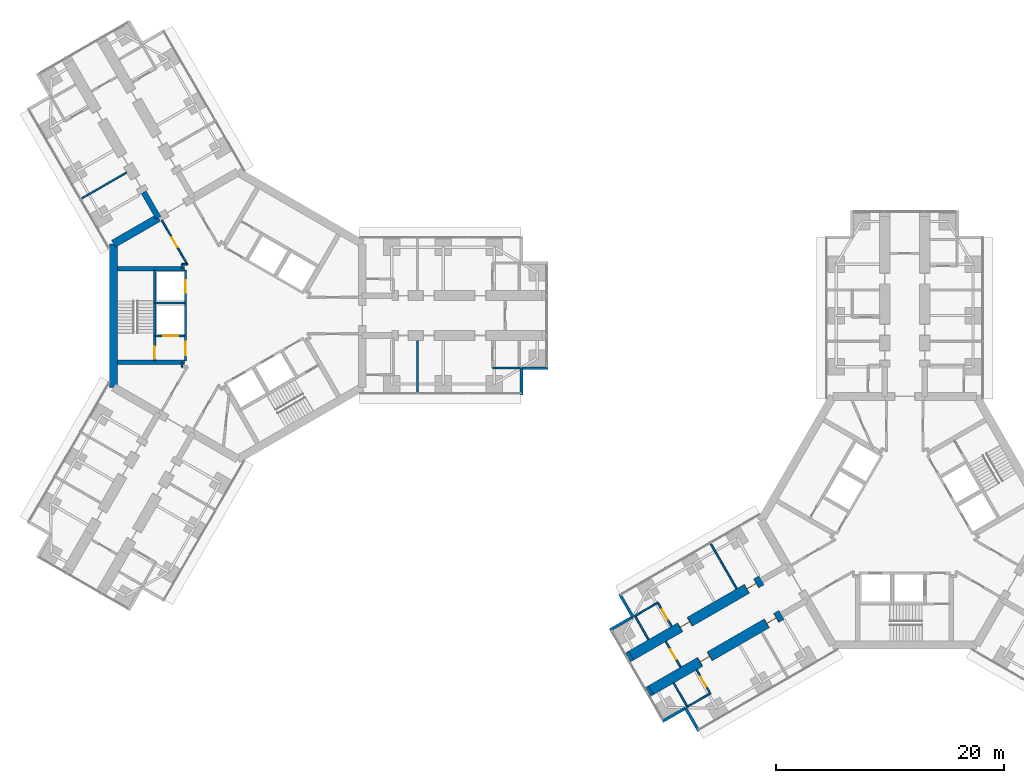
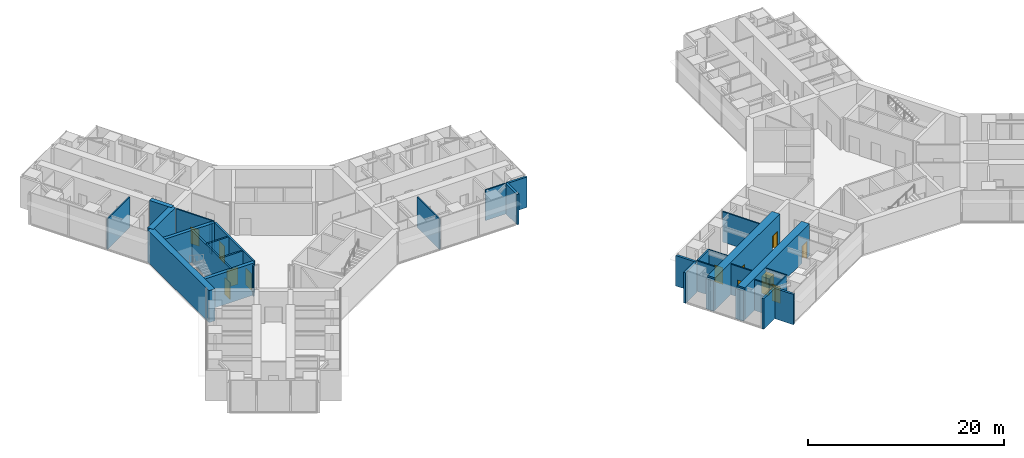
# One storey, part 17 of 24: 34 walls, 12 doors, 12 openings.
"""IFC4 building model written with IfcOpenShell, lengths in metres."""

from ifc_helpers import new_model, si_unit, direction, frame, frame_2d, origin, place, context, subcontext, project, spatial, rectangle, extrude, material, layer, layer_set, type_object, element, fill, save


model = new_model("IFC4")

# Units and contexts
model_context = context("Model", 3, precision=1e-05, world=origin(), true_north=direction((0.0, 1.0)))
body_context = subcontext(model_context, "Body", "Model", "MODEL_VIEW")
ifc_project = project(units=[si_unit("LENGTHUNIT", "METRE"), si_unit("AREAUNIT", "SQUARE_METRE"), si_unit("VOLUMEUNIT", "CUBIC_METRE"), si_unit("PLANEANGLEUNIT", "RADIAN"), si_unit("MASSUNIT", "GRAM", prefix="KILO")], contexts=[model_context])

# Site, building, storey
site_placement = place(None, origin())
site = spatial("IfcSite", under=ifc_project, at=site_placement, CompositionType="ELEMENT")
building_placement = place(site_placement, origin())
building = spatial("IfcBuilding", under=site, at=building_placement, Name="Upepo Twin Towers", CompositionType="ELEMENT")
storey_placement = place(building_placement, frame((0.0, 0.0, 52.5)))
storey = spatial("IfcBuildingStorey", under=building, at=storey_placement, Name="L12", CompositionType="ELEMENT", Elevation=52.5)

# Walls
ifc_material_1 = material(Name="Dense concrete blockwork", Category="masonry")
ifc_layer_1 = layer(ifc_material_1, 0.89990234375)
ifc_layer_set_1 = layer_set([ifc_layer_1], Name="Buttress closer 900, blockwork with fire-stopping to the curtain wall")
wall_type_1 = type_object("IfcWallType", Name="Buttress closer 900, blockwork with fire-stopping to the curtain wall", PredefinedType="PARTITIONING", material=ifc_layer_set_1)
for number, where, z_axis, x_axis, name in (
    (1, (36.252197265625, -32.865478515625, 0.0), (0.0, 0.0, 1.0), (-0.866054481515, -0.499949632511, 0.0), "T2 L12 wing B buttress closer L"),
    (2, (34.502197265625, -29.83447265625, 0.0), (0.0, 0.0, 1.0), (-0.866054481515, -0.499949632511, 0.0), "T2 L12 wing B buttress closer R"),
):
    element("IfcWall", number, at=place(storey_placement, frame(where, z_axis=z_axis, x_axis=x_axis)), inside=storey, type_object=wall_type_1, Name=name, PredefinedType="PARTITIONING", context=body_context, shape_type="SweptSolid", body=[
        extrude(rectangle(XDim=0.31005859375, YDim=0.89990234375, at=frame_2d((0.155029296875, 0.0))), origin(), (0.0, 0.0, 1.0), 3.800048828125),
    ])
ifc_material_2 = material(Name="Concrete C60/75", Category="concrete")
ifc_layer_2 = layer(ifc_material_2, 0.5)
ifc_layer_set_2 = layer_set([ifc_layer_2], Name="Concrete C60/75")
wall_type_2 = type_object("IfcWallType", Name="Buttress wall 500 RC", PredefinedType="SHEAR", material=ifc_layer_set_2)
wall_1_placement = place(storey_placement, frame((-6.9697265625, 8.57177734375, 0.0), z_axis=(0.0, 0.0, 1.0), x_axis=(-0.499988811324, 0.866031863473, 0.0)))
element("IfcWall", 3, at=wall_1_placement, inside=storey, type_object=wall_type_2, Name="T1 wing B buttress wall L", PredefinedType="SHEAR", context=body_context, shape_type="SweptSolid", body=[
    extrude(rectangle(XDim=2.591796875, YDim=0.5, at=frame_2d((1.2958984375, 0.0))), origin(), (0.0, 0.0, 1.0), 4.0),
])

# Wall, openings, doors
ifc_material_3 = material(Name="Concrete C60/75", Category="concrete")
ifc_layer_3 = layer(ifc_material_3, 0.89990234375)
ifc_layer_set_3 = layer_set([ifc_layer_3], Name="Concrete C60/75")
wall_type_3 = type_object("IfcWallType", Name="Buttress wall 900 RC", PredefinedType="SHEAR", material=ifc_layer_set_3)
wall_2_placement = place(storey_placement, frame((47.68359375, -26.265625, 0.0), z_axis=(0.0, 0.0, 1.0), x_axis=(-0.866027579429, -0.499996231654, 0.0)))
wall_2 = element("IfcWall", 4, at=wall_2_placement, inside=storey, type_object=wall_type_3, Name="T2 wing B buttress wall L part 2", PredefinedType="SHEAR", context=body_context, shape_type="SweptSolid", body=[
    extrude(rectangle(XDim=13.19970703125, YDim=0.89990234375, at=frame_2d((6.599853515625, 0.0))), origin(), (0.0, 0.0, 1.0), 4.0),
])
opening_1_placement = place(wall_2_placement, frame((0.5, 0.0, 0.0)))
opening_1 = element("IfcOpeningElement", 5, at=opening_1_placement, cuts=wall_2, Name="Opening D1", PredefinedType="OPENING", context=body_context, shape_type="SweptSolid", body=[
    extrude(rectangle(XDim=1.0, YDim=2.10009765625, at=frame_2d((0.5, 1.050048828125))), frame((0.0, 0.4599609375, 0.0), z_axis=(0.0, -1.0, 0.0), x_axis=(1.0, 0.0, 0.0)), (0.0, 0.0, 1.0), 0.919921875),
])
opening_2_placement = place(wall_2_placement, frame((7.25, 0.0, 0.0)))
opening_2 = element("IfcOpeningElement", 6, at=opening_2_placement, cuts=wall_2, Name="Opening D1", PredefinedType="OPENING", context=body_context, shape_type="SweptSolid", body=[
    extrude(rectangle(XDim=1.0, YDim=2.10009765625, at=frame_2d((0.5, 1.050048828125))), frame((0.0, 0.4599609375, 0.0), z_axis=(0.0, -1.0, 0.0), x_axis=(1.0, 0.0, 0.0)), (0.0, 0.0, 1.0), 0.919921875),
])
ifc_material_4 = material(Name="Timber doorset", Category="wood")
door_type_1 = type_object("IfcDoorType", Name="Room door 1000 FD30", OperationType="SINGLE_SWING_LEFT", PredefinedType="DOOR", material=ifc_material_4)
door_1_placement = place(opening_1_placement, origin())
door_1 = element("IfcDoor", 7, at=door_1_placement, inside=storey, type_object=door_type_1, Name="T2 L12 tutorial room door", OperationType="SINGLE_SWING_LEFT", OverallHeight=2.10009765625, OverallWidth=1.0, PredefinedType="DOOR", context=body_context, shape_type="SweptSolid", body=[
    extrude(rectangle(XDim=0.92, YDim=2.06009765625, at=frame_2d((0.5, 1.030029296875))), frame((0.0, 0.02490234375, 0.0), z_axis=(0.0, -1.0, 0.0), x_axis=(1.0, 0.0, 0.0)), (0.0, 0.0, 1.0), 0.050048828125),
    extrude(rectangle(XDim=0.04, YDim=2.10009765625, at=frame_2d((0.02001953125, 1.050048828125))), frame((0.0, 0.44970703125, 0.0), z_axis=(0.0, -1.0, 0.0), x_axis=(1.0, 0.0, 0.0)), (0.0, 0.0, 1.0), 0.8994140625),
    extrude(rectangle(XDim=0.04, YDim=2.10009765625, at=frame_2d((0.97998046875, 1.050048828125))), frame((0.0, 0.44970703125, 0.0), z_axis=(0.0, -1.0, 0.0), x_axis=(1.0, 0.0, 0.0)), (0.0, 0.0, 1.0), 0.8994140625),
    extrude(rectangle(XDim=0.92, YDim=0.04, at=frame_2d((0.5, 2.080078125))), frame((0.0, 0.44970703125, 0.0), z_axis=(0.0, -1.0, 0.0), x_axis=(1.0, 0.0, 0.0)), (0.0, 0.0, 1.0), 0.8994140625),
])
fill(opening_1, door_1)
door_2_placement = place(opening_2_placement, origin())
door_2 = element("IfcDoor", 8, at=door_2_placement, inside=storey, type_object=door_type_1, Name="T2 L12 classroom door", OperationType="SINGLE_SWING_RIGHT", OverallHeight=2.10009765625, OverallWidth=1.0, PredefinedType="DOOR", context=body_context, shape_type="SweptSolid", body=[
    extrude(rectangle(XDim=0.92, YDim=2.06009765625, at=frame_2d((0.5, 1.030029296875))), frame((0.0, 0.02490234375, 0.0), z_axis=(0.0, -1.0, 0.0), x_axis=(1.0, 0.0, 0.0)), (0.0, 0.0, 1.0), 0.050048828125),
    extrude(rectangle(XDim=0.04, YDim=2.10009765625, at=frame_2d((0.02001953125, 1.050048828125))), frame((0.0, 0.44970703125, 0.0), z_axis=(0.0, -1.0, 0.0), x_axis=(1.0, 0.0, 0.0)), (0.0, 0.0, 1.0), 0.8994140625),
    extrude(rectangle(XDim=0.04, YDim=2.10009765625, at=frame_2d((0.97998046875, 1.050048828125))), frame((0.0, 0.44970703125, 0.0), z_axis=(0.0, -1.0, 0.0), x_axis=(1.0, 0.0, 0.0)), (0.0, 0.0, 1.0), 0.8994140625),
    extrude(rectangle(XDim=0.92, YDim=0.04, at=frame_2d((0.5, 2.080078125))), frame((0.0, 0.44970703125, 0.0), z_axis=(0.0, -1.0, 0.0), x_axis=(1.0, 0.0, 0.0)), (0.0, 0.0, 1.0), 0.8994140625),
])
fill(opening_2, door_2)

wall_3_placement = place(storey_placement, frame((45.93359375, -23.234375, 0.0), z_axis=(0.0, 0.0, 1.0), x_axis=(-0.866019570528, -0.500010103361, 0.0)))
wall_3 = element("IfcWall", 9, at=wall_3_placement, inside=storey, type_object=wall_type_3, Name="T2 wing B buttress wall R part 2", PredefinedType="SHEAR", context=body_context, shape_type="SweptSolid", body=[
    extrude(rectangle(XDim=13.199951171875, YDim=0.89990234375, at=frame_2d((6.60009765625, 0.0))), origin(), (0.0, 0.0, 1.0), 4.0),
])
opening_3_placement = place(wall_3_placement, frame((0.5, 0.0, 0.0)))
opening_3 = element("IfcOpeningElement", 10, at=opening_3_placement, cuts=wall_3, Name="Opening D1", PredefinedType="OPENING", context=body_context, shape_type="SweptSolid", body=[
    extrude(rectangle(XDim=1.0, YDim=2.10009765625, at=frame_2d((0.5, 1.050048828125))), frame((0.0, 0.4599609375, 0.0), z_axis=(0.0, -1.0, 0.0), x_axis=(1.0, 0.0, 0.0)), (0.0, 0.0, 1.0), 0.919921875),
])
opening_4_placement = place(wall_3_placement, frame((7.25, 0.0, 0.0)))
opening_4 = element("IfcOpeningElement", 11, at=opening_4_placement, cuts=wall_3, Name="Opening D1", PredefinedType="OPENING", context=body_context, shape_type="SweptSolid", body=[
    extrude(rectangle(XDim=1.0, YDim=2.10009765625, at=frame_2d((0.5, 1.050048828125))), frame((0.0, 0.4599609375, 0.0), z_axis=(0.0, -1.0, 0.0), x_axis=(1.0, 0.0, 0.0)), (0.0, 0.0, 1.0), 0.919921875),
])
door_3_placement = place(opening_3_placement, origin())
door_3 = element("IfcDoor", 12, at=door_3_placement, inside=storey, type_object=door_type_1, Name="T2 L12 staff office door", OperationType="SINGLE_SWING_LEFT", OverallHeight=2.10009765625, OverallWidth=1.0, PredefinedType="DOOR", context=body_context, shape_type="SweptSolid", body=[
    extrude(rectangle(XDim=0.92, YDim=2.06009765625, at=frame_2d((0.5, 1.030029296875))), frame((0.0, 0.02490234375, 0.0), z_axis=(0.0, -1.0, 0.0), x_axis=(1.0, 0.0, 0.0)), (0.0, 0.0, 1.0), 0.050048828125),
    extrude(rectangle(XDim=0.04, YDim=2.10009765625, at=frame_2d((0.02001953125, 1.050048828125))), frame((0.0, 0.44970703125, 0.0), z_axis=(0.0, -1.0, 0.0), x_axis=(1.0, 0.0, 0.0)), (0.0, 0.0, 1.0), 0.8994140625),
    extrude(rectangle(XDim=0.04, YDim=2.10009765625, at=frame_2d((0.97998046875, 1.050048828125))), frame((0.0, 0.44970703125, 0.0), z_axis=(0.0, -1.0, 0.0), x_axis=(1.0, 0.0, 0.0)), (0.0, 0.0, 1.0), 0.8994140625),
    extrude(rectangle(XDim=0.92, YDim=0.04, at=frame_2d((0.5, 2.080078125))), frame((0.0, 0.44970703125, 0.0), z_axis=(0.0, -1.0, 0.0), x_axis=(1.0, 0.0, 0.0)), (0.0, 0.0, 1.0), 0.8994140625),
])
fill(opening_3, door_3)
door_4_placement = place(opening_4_placement, origin())
door_4 = element("IfcDoor", 13, at=door_4_placement, inside=storey, type_object=door_type_1, Name="T2 L12 classroom door", OperationType="SINGLE_SWING_RIGHT", OverallHeight=2.10009765625, OverallWidth=1.0, PredefinedType="DOOR", context=body_context, shape_type="SweptSolid", body=[
    extrude(rectangle(XDim=0.92, YDim=2.06009765625, at=frame_2d((0.5, 1.030029296875))), frame((0.0, 0.02490234375, 0.0), z_axis=(0.0, -1.0, 0.0), x_axis=(1.0, 0.0, 0.0)), (0.0, 0.0, 1.0), 0.050048828125),
    extrude(rectangle(XDim=0.04, YDim=2.10009765625, at=frame_2d((0.02001953125, 1.050048828125))), frame((0.0, 0.44970703125, 0.0), z_axis=(0.0, -1.0, 0.0), x_axis=(1.0, 0.0, 0.0)), (0.0, 0.0, 1.0), 0.8994140625),
    extrude(rectangle(XDim=0.04, YDim=2.10009765625, at=frame_2d((0.97998046875, 1.050048828125))), frame((0.0, 0.44970703125, 0.0), z_axis=(0.0, -1.0, 0.0), x_axis=(1.0, 0.0, 0.0)), (0.0, 0.0, 1.0), 0.8994140625),
    extrude(rectangle(XDim=0.92, YDim=0.04, at=frame_2d((0.5, 2.080078125))), frame((0.0, 0.44970703125, 0.0), z_axis=(0.0, -1.0, 0.0), x_axis=(1.0, 0.0, 0.0)), (0.0, 0.0, 1.0), 0.8994140625),
])
fill(opening_4, door_4)

# Walls
ifc_material_5 = material(Name="Concrete C60/75", Category="concrete")
ifc_layer_4 = layer(ifc_material_5, 0.699951171875)
ifc_layer_set_4 = layer_set([ifc_layer_4], Name="Concrete C60/75")
wall_type_4 = type_object("IfcWallType", Name="Core wall 700 RC", PredefinedType="SHEAR", material=ifc_layer_set_4)
wall_4_placement = place(storey_placement, frame((-6.9697265625, 8.57177734375, 0.0), z_axis=(0.0, 0.0, 1.0), x_axis=(-0.866034513004, -0.499984222037, 0.0)))
element("IfcWall", 14, at=wall_4_placement, inside=storey, type_object=wall_type_4, Name="T1 core wall 120 L", PredefinedType="SHEAR", context=body_context, shape_type="SweptSolid", body=[
    extrude(rectangle(XDim=4.548095703125, YDim=0.699951171875, at=frame_2d((2.27392578125, 0.0))), origin(), (0.0, 0.0, 1.0), 4.0),
])
wall_5_placement = place(storey_placement, frame((-10.908447265625, 6.2978515625, 0.0), z_axis=(0.0, 0.0, 1.0), x_axis=(0.0, -1.0, 0.0)))
element("IfcWall", 15, at=wall_5_placement, inside=storey, type_object=wall_type_4, Name="T1 core wall 180", PredefinedType="SHEAR", context=body_context, shape_type="SweptSolid", body=[
    extrude(rectangle(XDim=12.595703125, YDim=0.699951171875, at=frame_2d((6.2978515625, 0.0))), origin(), (0.0, 0.0, 1.0), 4.0),
])
ifc_material_6 = material(Name="Blockwork with anodised aluminium cladding", Category="masonry")
ifc_layer_5 = layer(ifc_material_6, 0.25)
ifc_layer_set_5 = layer_set([ifc_layer_5], Name="Notch cladding wall 250, pale metal")
wall_type_5 = type_object("IfcWallType", Name="Notch cladding wall 250, pale metal", PredefinedType="STANDARD", material=ifc_layer_set_5)
for number, where, z_axis, x_axis, name in (
    (16, (24.875, -6.949951171875, 0.0), (0.0, 0.0, 1.0), (0.0, 1.0, 0.0), "T1 L12 wing A notch wall R1"),
    (17, (24.875, -4.625, 0.0), (0.0, 0.0, 1.0), (1.0, 0.0, 0.0), "T1 L12 wing A notch wall R2"),
    (18, (40.4326171875, -36.456298828125, 0.0), (0.0, 0.0, 1.0), (-0.500046648681, 0.865998469481, 0.0), "T2 L12 wing B notch wall L1"),
    (19, (39.27001953125, -34.44287109375, 0.0), (0.0, 0.0, 1.0), (-0.865998469481, -0.500046648681, 0.0), "T2 L12 wing B notch wall L2"),
    (20, (33.482666015625, -24.418701171875, 0.0), (0.0, 0.0, 1.0), (0.499967891604, -0.866043940782, 0.0), "T2 L12 wing B notch wall R1"),
    (21, (34.64501953125, -26.43212890625, 0.0), (0.0, 0.0, 1.0), (-0.865998469481, -0.500046648681, 0.0), "T2 L12 wing B notch wall R2"),
):
    element("IfcWall", number, at=place(storey_placement, frame(where, z_axis=z_axis, x_axis=x_axis)), inside=storey, type_object=wall_type_5, Name=name, PredefinedType="STANDARD", context=body_context, shape_type="SweptSolid", body=[
        extrude(rectangle(XDim=2.324951171875, YDim=0.25, at=frame_2d((1.16259765625, 0.0))), origin(), (0.0, 0.0, 1.0), 3.800048828125),
    ])

# Wall, openings, doors
ifc_material_7 = material(Name="Concrete C40/50", Category="concrete")
ifc_layer_6 = layer(ifc_material_7, 0.199951171875)
ifc_layer_set_6 = layer_set([ifc_layer_6], Name="Concrete C40/50")
wall_type_6 = type_object("IfcWallType", Name="Shaft wall 200 RC", PredefinedType="SHEAR", material=ifc_layer_set_6)
wall_6_placement = place(storey_placement, frame((-4.60009765625, 4.0, 0.0), z_axis=(0.0, 0.0, 1.0), x_axis=(0.0, -1.0, 0.0)))
wall_6 = element("IfcWall", 22, at=wall_6_placement, inside=storey, type_object=wall_type_6, Name="T1 core W180 front wall", PredefinedType="SHEAR", context=body_context, shape_type="SweptSolid", body=[
    extrude(rectangle(XDim=8.0, YDim=0.199951171875, at=frame_2d((4.0, 0.0))), origin(), (0.0, 0.0, 1.0), 4.0),
])
opening_5_placement = place(wall_6_placement, frame((6.300048828125, 0.0, 0.0)))
opening_5 = element("IfcOpeningElement", 23, at=opening_5_placement, cuts=wall_6, Name="Opening D4", PredefinedType="OPENING", context=body_context, shape_type="SweptSolid", body=[
    extrude(rectangle(XDim=1.199951171875, YDim=2.10009765625, at=frame_2d((0.60009765625, 1.050048828125))), frame((0.0, 0.10986328125, 0.0), z_axis=(0.0, -1.0, 0.0), x_axis=(1.0, 0.0, 0.0)), (0.0, 0.0, 1.0), 0.219970703125),
])
opening_6_placement = place(wall_6_placement, frame((0.89990234375, 0.0, 0.0)))
opening_6 = element("IfcOpeningElement", 24, at=opening_6_placement, cuts=wall_6, Name="Opening LD1", PredefinedType="OPENING", context=body_context, shape_type="SweptSolid", body=[
    extrude(rectangle(XDim=1.10009765625, YDim=2.199951171875, at=frame_2d((0.550048828125, 1.10009765625))), frame((0.0, 0.10986328125, 0.0), z_axis=(0.0, -1.0, 0.0), x_axis=(1.0, 0.0, 0.0)), (0.0, 0.0, 1.0), 0.219970703125),
])
ifc_material_8 = material(Name="Steel doorset", Category="steel")
door_type_2 = type_object("IfcDoorType", Name="Lift landing door 1100", OperationType="DOUBLE_DOOR_SLIDING", PredefinedType="DOOR", material=ifc_material_8)
door_5_placement = place(opening_6_placement, origin())
door_5 = element("IfcDoor", 25, at=door_5_placement, inside=storey, type_object=door_type_2, Name="T1 L12 lift SV1 landing door", OperationType="DOUBLE_DOOR_SLIDING", OverallHeight=2.199951171875, OverallWidth=1.10009765625, PredefinedType="DOOR", context=body_context, shape_type="SweptSolid", body=[
    extrude(rectangle(XDim=1.10009765625, YDim=2.199951171875, at=frame_2d((0.550048828125, 1.10009765625))), frame((0.0, 0.02490234375, 0.0), z_axis=(0.0, -1.0, 0.0), x_axis=(1.0, 0.0, 0.0)), (0.0, 0.0, 1.0), 0.050048828125),
])
fill(opening_6, door_5)
ifc_material_9 = material(Name="Timber doorset", Category="wood")
door_type_3 = type_object("IfcDoorType", Name="Lobby door 1200 FD60", OperationType="SINGLE_SWING_LEFT", PredefinedType="DOOR", material=ifc_material_9)
door_6_placement = place(opening_5_placement, origin())
door_6 = element("IfcDoor", 26, at=door_6_placement, inside=storey, type_object=door_type_3, Name="T1 L12 W180 lobby door", OperationType="SINGLE_SWING_RIGHT", OverallHeight=2.10009765625, OverallWidth=1.199951171875, PredefinedType="DOOR", context=body_context, shape_type="SweptSolid", body=[
    extrude(rectangle(XDim=1.199951171875, YDim=2.10009765625, at=frame_2d((0.60009765625, 1.050048828125))), frame((0.0, 0.02490234375, 0.0), z_axis=(0.0, -1.0, 0.0), x_axis=(1.0, 0.0, 0.0)), (0.0, 0.0, 1.0), 0.050048828125),
])
fill(opening_5, door_6)

# Wall
wall_7_placement = place(storey_placement, frame((-4.699951171875, 1.10009765625, 0.0), z_axis=(0.0, 0.0, 1.0), x_axis=(-1.0, 0.0, 0.0)))
element("IfcWall", 27, at=wall_7_placement, inside=storey, type_object=wall_type_6, Name="T1 core W180 shaft divider", PredefinedType="SHEAR", context=body_context, shape_type="SweptSolid", body=[
    extrude(rectangle(XDim=2.60009765625, YDim=0.199951171875, at=frame_2d((1.300048828125, 0.0))), origin(), (0.0, 0.0, 1.0), 4.0),
])

# Wall, opening, door
wall_8_placement = place(storey_placement, frame((-4.699951171875, -1.800048828125, 0.0), z_axis=(0.0, 0.0, 1.0), x_axis=(-1.0, 0.0, 0.0)))
wall_8 = element("IfcWall", 28, at=wall_8_placement, inside=storey, type_object=wall_type_6, Name="T1 core W180 lobby wall", PredefinedType="SHEAR", context=body_context, shape_type="SweptSolid", body=[
    extrude(rectangle(XDim=2.60009765625, YDim=0.199951171875, at=frame_2d((1.300048828125, 0.0))), origin(), (0.0, 0.0, 1.0), 4.0),
])
opening_7_placement = place(wall_8_placement, frame((0.550048828125, 0.0, 0.0)))
opening_7 = element("IfcOpeningElement", 29, at=opening_7_placement, cuts=wall_8, Name="Opening LD2", PredefinedType="OPENING", context=body_context, shape_type="SweptSolid", body=[
    extrude(rectangle(XDim=1.300048828125, YDim=2.199951171875, at=frame_2d((0.64990234375, 1.10009765625))), frame((0.0, 0.10986328125, 0.0), z_axis=(0.0, -1.0, 0.0), x_axis=(1.0, 0.0, 0.0)), (0.0, 0.0, 1.0), 0.219970703125),
])
ifc_material_10 = material(Name="Steel doorset", Category="steel")
door_type_4 = type_object("IfcDoorType", Name="Firefighting lift landing door 1300", OperationType="DOUBLE_DOOR_SLIDING", PredefinedType="DOOR", material=ifc_material_10)
door_7_placement = place(opening_7_placement, origin())
door_7 = element("IfcDoor", 30, at=door_7_placement, inside=storey, type_object=door_type_4, Name="T1 L12 firefighting lift landing door", OperationType="DOUBLE_DOOR_SLIDING", OverallHeight=2.199951171875, OverallWidth=1.300048828125, PredefinedType="DOOR", context=body_context, shape_type="SweptSolid", body=[
    extrude(rectangle(XDim=1.300048828125, YDim=2.199951171875, at=frame_2d((0.64990234375, 1.10009765625))), frame((0.0, 0.02490234375, 0.0), z_axis=(0.0, -1.0, 0.0), x_axis=(1.0, 0.0, 0.0)), (0.0, 0.0, 1.0), 0.050048828125),
])
fill(opening_7, door_7)

wall_9_placement = place(storey_placement, frame((-7.300048828125, 4.0, 0.0), z_axis=(0.0, 0.0, 1.0), x_axis=(0.0, -1.0, 0.0)))
wall_9 = element("IfcWall", 31, at=wall_9_placement, inside=storey, type_object=wall_type_6, Name="T1 core W180 stair wall", PredefinedType="SHEAR", context=body_context, shape_type="SweptSolid", body=[
    extrude(rectangle(XDim=8.0, YDim=0.199951171875, at=frame_2d((4.0, 0.0))), origin(), (0.0, 0.0, 1.0), 4.0),
])
opening_8_placement = place(wall_9_placement, frame((6.699951171875, 0.0, 0.0)))
opening_8 = element("IfcOpeningElement", 32, at=opening_8_placement, cuts=wall_9, Name="Opening D3", PredefinedType="OPENING", context=body_context, shape_type="SweptSolid", body=[
    extrude(rectangle(XDim=1.10009765625, YDim=2.10009765625, at=frame_2d((0.550048828125, 1.050048828125))), frame((0.0, 0.10986328125, 0.0), z_axis=(0.0, -1.0, 0.0), x_axis=(1.0, 0.0, 0.0)), (0.0, 0.0, 1.0), 0.219970703125),
])
ifc_material_11 = material(Name="Timber doorset", Category="wood")
door_type_5 = type_object("IfcDoorType", Name="Stair door 1100 FD60", OperationType="SINGLE_SWING_LEFT", PredefinedType="DOOR", material=ifc_material_11)
door_8_placement = place(opening_8_placement, origin())
door_8 = element("IfcDoor", 33, at=door_8_placement, inside=storey, type_object=door_type_5, Name="T1 L12 stair door", OperationType="SINGLE_SWING_RIGHT", OverallHeight=2.10009765625, OverallWidth=1.10009765625, PredefinedType="DOOR", context=body_context, shape_type="SweptSolid", body=[
    extrude(rectangle(XDim=1.10009765625, YDim=2.10009765625, at=frame_2d((0.550048828125, 1.050048828125))), frame((0.0, 0.02490234375, 0.0), z_axis=(0.0, -1.0, 0.0), x_axis=(1.0, 0.0, 0.0)), (0.0, 0.0, 1.0), 0.050048828125),
])
fill(opening_8, door_8)

# Walls
ifc_material_12 = material(Name="Concrete C40/50", Category="concrete")
ifc_layer_7 = layer(ifc_material_12, 0.39990234375)
ifc_layer_set_7 = layer_set([ifc_layer_7], Name="Concrete C40/50")
wall_type_7 = type_object("IfcWallType", Name="Shaft wall 400 RC", PredefinedType="SHEAR", material=ifc_layer_set_7)
for number, where, z_axis, x_axis, name in (
    (34, (-4.699951171875, -4.10009765625, 0.0), (0.0, 0.0, 1.0), (-1.0, 0.0, 0.0), "T1 core W180 side wall N"),
    (35, (-4.699951171875, 4.10009765625, 0.0), (0.0, 0.0, 1.0), (-1.0, 0.0, 0.0), "T1 core W180 side wall S"),
):
    element("IfcWall", number, at=place(storey_placement, frame(where, z_axis=z_axis, x_axis=x_axis)), inside=storey, type_object=wall_type_7, Name=name, PredefinedType="SHEAR", context=body_context, shape_type="SweptSolid", body=[
        extrude(rectangle(XDim=5.8583984375, YDim=0.39990234375, at=frame_2d((2.92919921875, 0.0))), origin(), (0.0, 0.0, 1.0), 4.0),
    ])
ifc_material_13 = material(Name="Gypsum board on steel studs", Category="steel")
ifc_layer_8 = layer(ifc_material_13, 0.14990234375)
ifc_layer_set_8 = layer_set([ifc_layer_8], Name="Teaching partition 150 acoustic")
wall_type_8 = type_object("IfcWallType", Name="Teaching partition 150 acoustic", PredefinedType="PARTITIONING", material=ifc_layer_set_8)
wall_10_placement = place(storey_placement, frame((15.75, -2.199951171875, 0.0), z_axis=(0.0, 0.0, 1.0), x_axis=(0.0, -1.0, 0.0)))
element("IfcWall", 36, at=wall_10_placement, inside=storey, type_object=wall_type_8, Name="T1 partition AR at 15.75", PredefinedType="PARTITIONING", context=body_context, shape_type="SweptSolid", body=[
    extrude(rectangle(XDim=4.550048828125, YDim=0.14990234375, at=frame_2d((2.27490234375, 0.0))), origin(), (0.0, 0.0, 1.0), 3.800048828125),
])
wall_11_placement = place(storey_placement, frame((22.35009765625, -4.60009765625, 0.0), z_axis=(0.0, 0.0, 1.0), x_axis=(1.0, 0.0, 0.0)))
element("IfcWall", 37, at=wall_11_placement, inside=storey, type_object=wall_type_8, Name="T1 inner room partition AR at 22.35", PredefinedType="PARTITIONING", context=body_context, shape_type="SweptSolid", body=[
    extrude(rectangle(XDim=2.39990234375, YDim=0.14990234375, at=frame_2d((1.199951171875, 0.0))), origin(), (0.0, 0.0, 1.0), 3.800048828125),
])
wall_12_placement = place(storey_placement, frame((-9.7802734375, 12.539794921875, 0.0), z_axis=(0.0, 0.0, 1.0), x_axis=(-0.866035472144, -0.499982560684, 0.0)))
element("IfcWall", 38, at=wall_12_placement, inside=storey, type_object=wall_type_8, Name="T1 partition BL at 15.75", PredefinedType="PARTITIONING", context=body_context, shape_type="SweptSolid", body=[
    extrude(rectangle(XDim=4.550048828125, YDim=0.14990234375, at=frame_2d((2.27490234375, 0.0))), origin(), (0.0, 0.0, 1.0), 3.800048828125),
])
for number, where, z_axis, x_axis, name in (
    (39, (-4.89990234375, -4.52001953125, 0.0), (0.0, 0.0, 1.0), (0.0, 1.0, 0.0), "T1 core room partition 7"),
    (40, (-4.89990234375, 4.090087890625, 0.0), (0.0, 0.0, 1.0), (0.0, 1.0, 0.0), "T1 core room partition 8"),
):
    element("IfcWall", number, at=place(storey_placement, frame(where, z_axis=z_axis, x_axis=x_axis)), inside=storey, type_object=wall_type_8, Name=name, PredefinedType="PARTITIONING", context=body_context, shape_type="SweptSolid", body=[
        extrude(rectangle(XDim=0.429931640625, YDim=0.14990234375, at=frame_2d((0.21484375, 0.0))), origin(), (0.0, 0.0, 1.0), 3.800048828125),
    ])
wall_13_placement = place(storey_placement, frame((-4.919921875, 4.5, 0.0), z_axis=(0.0, 0.0, 1.0), x_axis=(1.0, 0.0, 0.0)))
element("IfcWall", 41, at=wall_13_placement, inside=storey, type_object=wall_type_8, Name="T1 core room partition 9", PredefinedType="PARTITIONING", context=body_context, shape_type="SweptSolid", body=[
    extrude(rectangle(XDim=0.494384765625, YDim=0.14990234375, at=frame_2d((0.2470703125, 0.0))), origin(), (0.0, 0.0, 1.0), 3.800048828125),
])

# Wall, opening, door
wall_14_placement = place(storey_placement, frame((-4.435546875, 4.482666015625, 0.0), z_axis=(0.0, 0.0, 1.0), x_axis=(-0.500017246033, 0.866015446554, 0.0)))
wall_14 = element("IfcWall", 42, at=wall_14_placement, inside=storey, type_object=wall_type_8, Name="T1 core room partition 10", PredefinedType="PARTITIONING", context=body_context, shape_type="SweptSolid", body=[
    extrude(rectangle(XDim=4.468505859375, YDim=0.14990234375, at=frame_2d((2.234375, 0.0))), origin(), (0.0, 0.0, 1.0), 3.800048828125),
])
opening_9_placement = place(wall_14_placement, frame((1.744384765625, 0.0, 0.0)))
opening_9 = element("IfcOpeningElement", 43, at=opening_9_placement, cuts=wall_14, Name="Opening D1", PredefinedType="OPENING", context=body_context, shape_type="SweptSolid", body=[
    extrude(rectangle(XDim=1.0, YDim=2.10009765625, at=frame_2d((0.5, 1.050048828125))), frame((0.0, 0.0849609375, 0.0), z_axis=(0.0, -1.0, 0.0), x_axis=(1.0, 0.0, 0.0)), (0.0, 0.0, 1.0), 0.169921875),
])
door_9_placement = place(opening_9_placement, origin())
door_9 = element("IfcDoor", 44, at=door_9_placement, inside=storey, type_object=door_type_1, Name="T1 L12 core room door K7", OperationType="SINGLE_SWING_RIGHT", OverallHeight=2.10009765625, OverallWidth=1.0, PredefinedType="DOOR", context=body_context, shape_type="SweptSolid", body=[
    extrude(rectangle(XDim=1.0, YDim=2.10009765625, at=frame_2d((0.5, 1.050048828125))), frame((0.0, 0.02490234375, 0.0), z_axis=(0.0, -1.0, 0.0), x_axis=(1.0, 0.0, 0.0)), (0.0, 0.0, 1.0), 0.050048828125),
])
fill(opening_9, door_9)

# Wall
wall_15_placement = place(storey_placement, frame((41.4443359375, -33.15869140625, 0.0), z_axis=(0.0, 0.0, 1.0), x_axis=(-0.866024647952, -0.500001309137, 0.0)))
element("IfcWall", 45, at=wall_15_placement, inside=storey, type_object=wall_type_8, Name="T2 inner room partition BL at 22.35", PredefinedType="PARTITIONING", context=body_context, shape_type="SweptSolid", body=[
    extrude(rectangle(XDim=2.39990234375, YDim=0.14990234375, at=frame_2d((1.199951171875, 0.0))), origin(), (0.0, 0.0, 1.0), 3.800048828125),
])

# Wall, opening, door
wall_16_placement = place(storey_placement, frame((40.244384765625, -31.080322265625, 0.0), z_axis=(0.0, 0.0, 1.0), x_axis=(0.500001309137, -0.866024647952, 0.0)))
wall_16 = element("IfcWall", 46, at=wall_16_placement, inside=storey, type_object=wall_type_8, Name="T2 inner room partition BL end at 22.35", PredefinedType="PARTITIONING", context=body_context, shape_type="SweptSolid", body=[
    extrude(rectangle(XDim=2.39990234375, YDim=0.14990234375, at=frame_2d((1.199951171875, 0.0))), origin(), (0.0, 0.0, 1.0), 3.800048828125),
])
opening_10_placement = place(wall_16_placement, frame((0.699951171875, 0.0, 0.0)))
opening_10 = element("IfcOpeningElement", 47, at=opening_10_placement, cuts=wall_16, Name="Opening D1", PredefinedType="OPENING", context=body_context, shape_type="SweptSolid", body=[
    extrude(rectangle(XDim=1.0, YDim=2.10009765625, at=frame_2d((0.5, 1.050048828125))), frame((0.0, 0.0849609375, 0.0), z_axis=(0.0, -1.0, 0.0), x_axis=(1.0, 0.0, 0.0)), (0.0, 0.0, 1.0), 0.169921875),
])
door_10_placement = place(opening_10_placement, origin())
door_10 = element("IfcDoor", 48, at=door_10_placement, inside=storey, type_object=door_type_1, Name="T2 L12 inner room door", OperationType="SINGLE_SWING_LEFT", OverallHeight=2.10009765625, OverallWidth=1.0, PredefinedType="DOOR", context=body_context, shape_type="SweptSolid", body=[
    extrude(rectangle(XDim=1.0, YDim=2.10009765625, at=frame_2d((0.5, 1.050048828125))), frame((0.0, 0.02490234375, 0.0), z_axis=(0.0, -1.0, 0.0), x_axis=(1.0, 0.0, 0.0)), (0.0, 0.0, 1.0), 0.050048828125),
])
fill(opening_10, door_10)

# Walls
wall_17_placement = place(storey_placement, frame((38.230712890625, -32.24267578125, 0.0), z_axis=(0.0, 0.0, 1.0), x_axis=(0.500033551112, -0.866006032174, 0.0)))
element("IfcWall", 49, at=wall_17_placement, inside=storey, type_object=wall_type_8, Name="T2 inner room partition BL end at 24.75", PredefinedType="PARTITIONING", context=body_context, shape_type="SweptSolid", body=[
    extrude(rectangle(XDim=2.400146484375, YDim=0.14990234375, at=frame_2d((1.2001953125, 0.0))), origin(), (0.0, 0.0, 1.0), 3.800048828125),
])
wall_18_placement = place(storey_placement, frame((43.760009765625, -23.9697265625, 0.0), z_axis=(0.0, 0.0, 1.0), x_axis=(-0.499982560684, 0.866035472144, 0.0)))
element("IfcWall", 50, at=wall_18_placement, inside=storey, type_object=wall_type_8, Name="T2 partition BR at 15.75", PredefinedType="PARTITIONING", context=body_context, shape_type="SweptSolid", body=[
    extrude(rectangle(XDim=4.550048828125, YDim=0.14990234375, at=frame_2d((2.27490234375, 0.0))), origin(), (0.0, 0.0, 1.0), 3.800048828125),
])
wall_19_placement = place(storey_placement, frame((36.84423828125, -25.191162109375, 0.0), z_axis=(0.0, 0.0, 1.0), x_axis=(-0.865980596518, -0.500077600433, 0.0)))
element("IfcWall", 51, at=wall_19_placement, inside=storey, type_object=wall_type_8, Name="T2 inner room partition BR at 22.35", PredefinedType="PARTITIONING", context=body_context, shape_type="SweptSolid", body=[
    extrude(rectangle(XDim=2.39990234375, YDim=0.14990234375, at=frame_2d((1.199951171875, 0.0))), origin(), (0.0, 0.0, 1.0), 3.800048828125),
])

# Wall, opening, door
wall_20_placement = place(storey_placement, frame((38.04443359375, -27.269775390625, 0.0), z_axis=(0.0, 0.0, 1.0), x_axis=(-0.500033551112, 0.866006032174, 0.0)))
wall_20 = element("IfcWall", 52, at=wall_20_placement, inside=storey, type_object=wall_type_8, Name="T2 inner room partition BR end at 22.35", PredefinedType="PARTITIONING", context=body_context, shape_type="SweptSolid", body=[
    extrude(rectangle(XDim=2.400146484375, YDim=0.14990234375, at=frame_2d((1.2001953125, 0.0))), origin(), (0.0, 0.0, 1.0), 3.800048828125),
])
opening_11_placement = place(wall_20_placement, frame((0.699951171875, 0.0, 0.0)))
opening_11 = element("IfcOpeningElement", 53, at=opening_11_placement, cuts=wall_20, Name="Opening D1", PredefinedType="OPENING", context=body_context, shape_type="SweptSolid", body=[
    extrude(rectangle(XDim=1.0, YDim=2.10009765625, at=frame_2d((0.5, 1.050048828125))), frame((0.0, 0.0849609375, 0.0), z_axis=(0.0, -1.0, 0.0), x_axis=(1.0, 0.0, 0.0)), (0.0, 0.0, 1.0), 0.169921875),
])
door_11_placement = place(opening_11_placement, origin())
door_11 = element("IfcDoor", 54, at=door_11_placement, inside=storey, type_object=door_type_1, Name="T2 L12 inner room door", OperationType="SINGLE_SWING_LEFT", OverallHeight=2.10009765625, OverallWidth=1.0, PredefinedType="DOOR", context=body_context, shape_type="SweptSolid", body=[
    extrude(rectangle(XDim=1.0, YDim=2.10009765625, at=frame_2d((0.5, 1.050048828125))), frame((0.0, 0.02490234375, 0.0), z_axis=(0.0, -1.0, 0.0), x_axis=(1.0, 0.0, 0.0)), (0.0, 0.0, 1.0), 0.050048828125),
])
fill(opening_11, door_11)

# Wall
wall_21_placement = place(storey_placement, frame((36.03076171875, -28.43212890625, 0.0), z_axis=(0.0, 0.0, 1.0), x_axis=(-0.500001309137, 0.866024647952, 0.0)))
element("IfcWall", 55, at=wall_21_placement, inside=storey, type_object=wall_type_8, Name="T2 inner room partition BR end at 24.75", PredefinedType="PARTITIONING", context=body_context, shape_type="SweptSolid", body=[
    extrude(rectangle(XDim=2.39990234375, YDim=0.14990234375, at=frame_2d((1.199951171875, 0.0))), origin(), (0.0, 0.0, 1.0), 3.800048828125),
])

# Wall, opening, door
wall_22_placement = place(storey_placement, frame((37.541748046875, -28.59912109375, 0.0), z_axis=(0.0, 0.0, 1.0), x_axis=(0.500006934395, -0.866021400173, 0.0)))
wall_22 = element("IfcWall", 56, at=wall_22_placement, inside=storey, type_object=wall_type_8, Name="T2 corridor end partition B at 23.45", PredefinedType="PARTITIONING", context=body_context, shape_type="SweptSolid", body=[
    extrude(rectangle(XDim=2.60009765625, YDim=0.14990234375, at=frame_2d((1.300048828125, 0.0))), origin(), (0.0, 0.0, 1.0), 3.800048828125),
])
opening_12_placement = place(wall_22_placement, frame((0.800048828125, 0.0, 0.0)))
opening_12 = element("IfcOpeningElement", 57, at=opening_12_placement, cuts=wall_22, Name="Opening D1", PredefinedType="OPENING", context=body_context, shape_type="SweptSolid", body=[
    extrude(rectangle(XDim=1.0, YDim=2.10009765625, at=frame_2d((0.5, 1.050048828125))), frame((0.0, 0.0849609375, 0.0), z_axis=(0.0, -1.0, 0.0), x_axis=(1.0, 0.0, 0.0)), (0.0, 0.0, 1.0), 0.169921875),
])
door_12_placement = place(opening_12_placement, origin())
door_12 = element("IfcDoor", 58, at=door_12_placement, inside=storey, type_object=door_type_1, Name="T2 L12 breakout study room door", OperationType="SINGLE_SWING_RIGHT", OverallHeight=2.10009765625, OverallWidth=1.0, PredefinedType="DOOR", context=body_context, shape_type="SweptSolid", body=[
    extrude(rectangle(XDim=1.0, YDim=2.10009765625, at=frame_2d((0.5, 1.050048828125))), frame((0.0, 0.02490234375, 0.0), z_axis=(0.0, -1.0, 0.0), x_axis=(1.0, 0.0, 0.0)), (0.0, 0.0, 1.0), 0.050048828125),
])
fill(opening_12, door_12)

save(model, "model.ifc")
